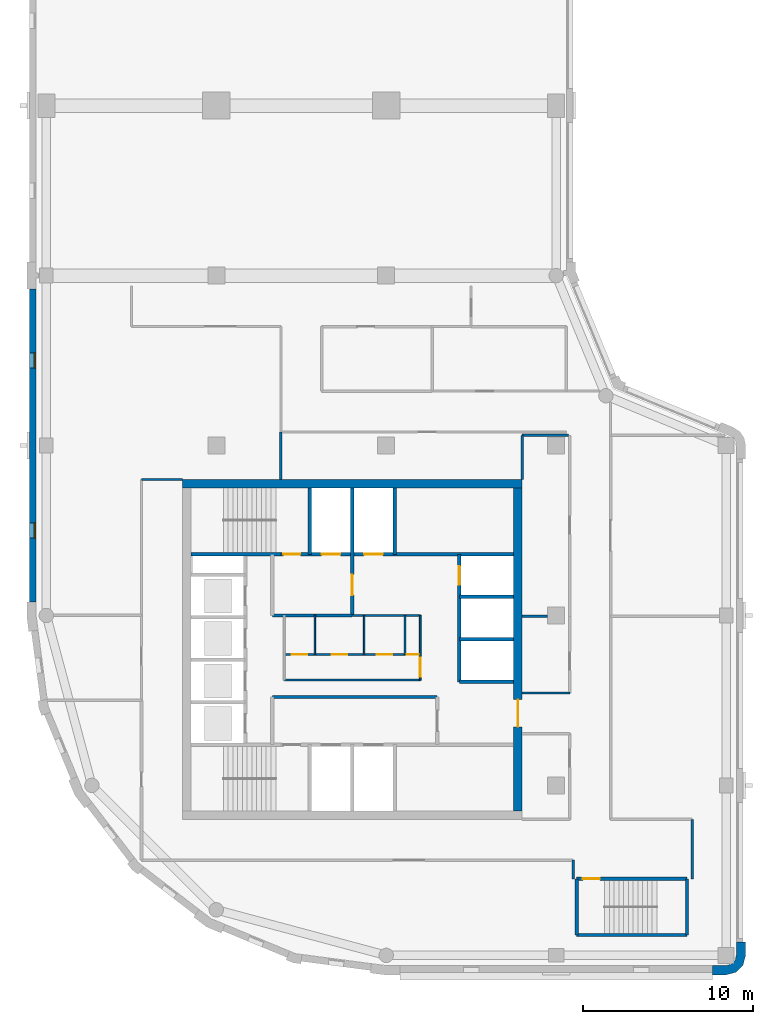
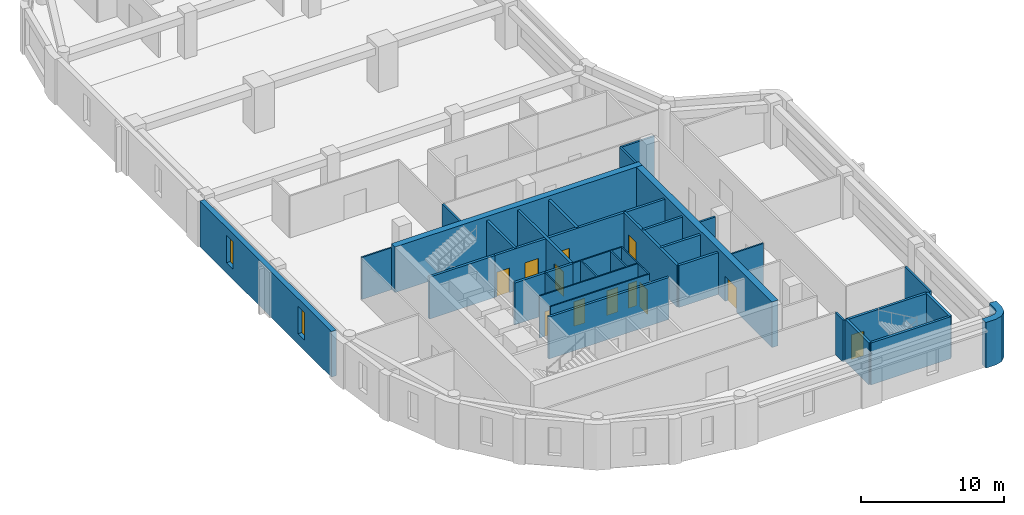
# One storey, part 3 of 8: 34 walls, 12 doors, 2 windows, 14 openings.
"""IFC4 building model written with IfcOpenShell, lengths in metres."""

from ifc_helpers import new_model, si_unit, direction, frame, frame_2d, origin, place, context, subcontext, project, spatial, polyline, rectangle, outline, extrude, material, layer, layer_set, type_object, element, fill, save


model = new_model("IFC4")

# Units and contexts
model_context = context("Model", 3, precision=1e-05, world=origin(), true_north=direction((0.0, 1.0)))
body_context = subcontext(model_context, "Body", "Model", "MODEL_VIEW")
ifc_project = project(units=[si_unit("LENGTHUNIT", "METRE"), si_unit("AREAUNIT", "SQUARE_METRE"), si_unit("VOLUMEUNIT", "CUBIC_METRE"), si_unit("PLANEANGLEUNIT", "RADIAN"), si_unit("MASSUNIT", "GRAM", prefix="KILO")], contexts=[model_context])

# Site, building, storey
site_placement = place(None, origin())
site = spatial("IfcSite", under=ifc_project, at=site_placement, CompositionType="ELEMENT")
building_placement = place(site_placement, origin())
building = spatial("IfcBuilding", under=site, at=building_placement, Name="Qaws Garden Tower", CompositionType="ELEMENT")
storey_placement = place(building_placement, frame((0.0, 0.0, 313.800048828125)))
storey = spatial("IfcBuildingStorey", under=building, at=storey_placement, Name="L76", CompositionType="ELEMENT", Elevation=313.800048828125)

# Wall
ifc_material_1 = material(Name="Clay facing brick masonry", Category="masonry")
ifc_layer_1 = layer(ifc_material_1, 0.550048828125)
ifc_layer_set_1 = layer_set([ifc_layer_1], Name="Clay facing brick masonry")
wall_type_1 = type_object("IfcWallType", Name="Brick corner pier 550 x 2400", PredefinedType="SOLIDWALL", material=ifc_layer_set_1)
wall_1_placement = place(storey_placement, origin())
element("IfcWall", 1, at=wall_1_placement, inside=storey, type_object=wall_type_1, Name="E-L76-pier-02", PredefinedType="SOLIDWALL", context=body_context, shape_type="SweptSolid", body=[
    extrude(outline(polyline([(39.199951171875, -1.0), (39.199951171875, -1.14990234375), (40.0, -1.14990234375), (40.574951171875, -0.995849609375), (40.995849609375, -0.574951171875), (41.14990234375, 0.0), (41.14990234375, 0.800048828125), (41.0, 0.800048828125), (40.60009765625, 0.800048828125), (40.60009765625, 0.0), (40.51953125, -0.300048828125), (40.300048828125, -0.51953125), (40.0, -0.60009765625), (39.199951171875, -0.60009765625), (39.199951171875, -1.0)])), origin(), (0.0, 0.0, 1.0), 3.89990234375),
])

# Wall, openings, windows
ifc_material_2 = material(Name="Clay facing brick masonry", Category="masonry")
ifc_layer_2 = layer(ifc_material_2, 0.39990234375)
ifc_layer_set_2 = layer_set([ifc_layer_2], Name="Clay facing brick masonry")
wall_type_2 = type_object("IfcWallType", Name="Brick infill wall 400", PredefinedType="SOLIDWALL", material=ifc_layer_set_2)
wall_2_placement = place(storey_placement, frame((-0.800048828125, 39.199951171875, 0.0), z_axis=(0.0, 0.0, 1.0), x_axis=(0.0, -1.0, 0.0)))
wall_2 = element("IfcWall", 2, at=wall_2_placement, inside=storey, type_object=wall_type_2, Name="E-L76-infill-19", PredefinedType="SOLIDWALL", context=body_context, shape_type="SweptSolid", body=[
    extrude(rectangle(XDim=18.39990234375, YDim=0.39990234375, at=frame_2d((9.199951171875, 0.0))), origin(), (0.0, 0.0, 1.0), 3.89990234375),
])
opening_1_placement = place(wall_2_placement, frame((3.75, 0.0, 0.89990234375)))
opening_1 = element("IfcOpeningElement", 3, at=opening_1_placement, cuts=wall_2, Name="Opening W09", PredefinedType="OPENING", context=body_context, shape_type="SweptSolid", body=[
    extrude(rectangle(XDim=0.89990234375, YDim=2.35009765625, at=frame_2d((0.449951171875, 1.175048828125))), frame((0.0, 0.2099609375, 0.0), z_axis=(0.0, -1.0, 0.0), x_axis=(1.0, 0.0, 0.0)), (0.0, 0.0, 1.0), 0.419921875),
])
opening_2_placement = place(wall_2_placement, frame((13.75, 0.0, 0.89990234375)))
opening_2 = element("IfcOpeningElement", 4, at=opening_2_placement, cuts=wall_2, Name="Opening W09", PredefinedType="OPENING", context=body_context, shape_type="SweptSolid", body=[
    extrude(rectangle(XDim=0.89990234375, YDim=2.35009765625, at=frame_2d((0.449951171875, 1.175048828125))), frame((0.0, 0.2099609375, 0.0), z_axis=(0.0, -1.0, 0.0), x_axis=(1.0, 0.0, 0.0)), (0.0, 0.0, 1.0), 0.419921875),
])
ifc_material_3 = material(Name="Aluminium framed window, clear glazing", Category="aluminium")
window_type = type_object("IfcWindowType", Name="Slit window 900 x 2350", PartitioningType="SINGLE_PANEL", PredefinedType="WINDOW", material=ifc_material_3)
window_1_placement = place(opening_1_placement, origin())
window_1 = element("IfcWindow", 5, at=window_1_placement, inside=storey, type_object=window_type, Name="E-L76-window-19-0", OverallHeight=2.35009765625, OverallWidth=0.89990234375, PartitioningType="SINGLE_PANEL", PredefinedType="WINDOW", context=body_context, shape_type="SweptSolid", body=[
    extrude(rectangle(XDim=0.89990234375, YDim=2.35009765625, at=frame_2d((0.449951171875, 1.175048828125))), frame((0.0, 0.159912109375, 0.0), z_axis=(0.0, -1.0, 0.0), x_axis=(1.0, 0.0, 0.0)), (0.0, 0.0, 1.0), 0.06005859375),
])
fill(opening_1, window_1)
window_2_placement = place(opening_2_placement, origin())
window_2 = element("IfcWindow", 6, at=window_2_placement, inside=storey, type_object=window_type, Name="E-L76-window-20-0", OverallHeight=2.35009765625, OverallWidth=0.89990234375, PartitioningType="SINGLE_PANEL", PredefinedType="WINDOW", context=body_context, shape_type="SweptSolid", body=[
    extrude(rectangle(XDim=0.89990234375, YDim=2.35009765625, at=frame_2d((0.449951171875, 1.175048828125))), frame((0.0, 0.159912109375, 0.0), z_axis=(0.0, -1.0, 0.0), x_axis=(1.0, 0.0, 0.0)), (0.0, 0.0, 1.0), 0.06005859375),
])
fill(opening_2, window_2)

# Wall
ifc_material_4 = material(Name="Plasterboard")
ifc_layer_3 = layer(ifc_material_4, 0.10009765625)
ifc_layer_set_3 = layer_set([ifc_layer_3], Name="Plasterboard")
wall_type_3 = type_object("IfcWallType", Name="Core partition 100", PredefinedType="PARTITIONING", material=ifc_layer_set_3)
wall_3_placement = place(storey_placement, frame((14.0, 16.199951171875, 0.0), z_axis=(0.0, 0.0, 1.0), x_axis=(1.0, 0.0, 0.0)))
element("IfcWall", 7, at=wall_3_placement, inside=storey, type_object=wall_type_3, Name="Core partition", PredefinedType="PARTITIONING", context=body_context, shape_type="SweptSolid", body=[
    extrude(rectangle(XDim=8.0, YDim=0.10009765625, at=frame_2d((4.0, 0.0))), origin(), (0.0, 0.0, 1.0), 3.579833984375),
])

# Wall, openings, doors
wall_4_placement = place(storey_placement, frame((14.0, 17.699951171875, 0.0), z_axis=(0.0, 0.0, 1.0), x_axis=(1.0, 0.0, 0.0)))
wall_4 = element("IfcWall", 8, at=wall_4_placement, inside=storey, type_object=wall_type_3, Name="Core partition", PredefinedType="PARTITIONING", context=body_context, shape_type="SweptSolid", body=[
    extrude(rectangle(XDim=8.0, YDim=0.10009765625, at=frame_2d((4.0, 0.0))), origin(), (0.0, 0.0, 1.0), 3.579833984375),
])
opening_3_placement = place(wall_4_placement, frame((0.449951171875, 0.0, 0.0)))
opening_3 = element("IfcOpeningElement", 9, at=opening_3_placement, cuts=wall_4, Name="Opening WD18", PredefinedType="OPENING", context=body_context, shape_type="SweptSolid", body=[
    extrude(rectangle(XDim=0.89990234375, YDim=2.10009765625, at=frame_2d((0.449951171875, 1.050048828125))), frame((0.0, 0.06005859375, 0.0), z_axis=(0.0, -1.0, 0.0), x_axis=(1.0, 0.0, 0.0)), (0.0, 0.0, 1.0), 0.1201171875),
])
opening_4_placement = place(wall_4_placement, frame((2.800048828125, 0.0, 0.0)))
opening_4 = element("IfcOpeningElement", 10, at=opening_4_placement, cuts=wall_4, Name="Opening WD19", PredefinedType="OPENING", context=body_context, shape_type="SweptSolid", body=[
    extrude(rectangle(XDim=0.89990234375, YDim=2.10009765625, at=frame_2d((0.449951171875, 1.050048828125))), frame((0.0, 0.06005859375, 0.0), z_axis=(0.0, -1.0, 0.0), x_axis=(1.0, 0.0, 0.0)), (0.0, 0.0, 1.0), 0.1201171875),
])
opening_5_placement = place(wall_4_placement, frame((5.449951171875, 0.0, 0.0)))
opening_5 = element("IfcOpeningElement", 11, at=opening_5_placement, cuts=wall_4, Name="Opening WD20", PredefinedType="OPENING", context=body_context, shape_type="SweptSolid", body=[
    extrude(rectangle(XDim=0.89990234375, YDim=2.10009765625, at=frame_2d((0.449951171875, 1.050048828125))), frame((0.0, 0.06005859375, 0.0), z_axis=(0.0, -1.0, 0.0), x_axis=(1.0, 0.0, 0.0)), (0.0, 0.0, 1.0), 0.1201171875),
])
opening_6_placement = place(wall_4_placement, frame((7.199951171875, 0.0, 0.0)))
opening_6 = element("IfcOpeningElement", 12, at=opening_6_placement, cuts=wall_4, Name="Opening XD21", PredefinedType="OPENING", context=body_context, shape_type="SweptSolid", body=[
    extrude(rectangle(XDim=0.699951171875, YDim=2.10009765625, at=frame_2d((0.35009765625, 1.050048828125))), frame((0.0, 0.06005859375, 0.0), z_axis=(0.0, -1.0, 0.0), x_axis=(1.0, 0.0, 0.0)), (0.0, 0.0, 1.0), 0.1201171875),
])
ifc_material_5 = material(Name="Timber", Category="wood")
door_type_1 = type_object("IfcDoorType", Name="Store door 700x2100", OperationType="SINGLE_SWING_LEFT", PredefinedType="DOOR", material=ifc_material_5)
door_1_placement = place(opening_6_placement, origin())
door_1 = element("IfcDoor", 13, at=door_1_placement, inside=storey, type_object=door_type_1, Name="Cleaner's store door", OperationType="SINGLE_SWING_RIGHT", OverallHeight=2.10009765625, OverallWidth=0.699951171875, PredefinedType="DOOR", context=body_context, shape_type="SweptSolid", body=[
    extrude(rectangle(XDim=0.699951171875, YDim=2.10009765625, at=frame_2d((0.35009765625, 1.050048828125))), frame((0.0, 0.02490234375, 0.0), z_axis=(0.0, -1.0, 0.0), x_axis=(1.0, 0.0, 0.0)), (0.0, 0.0, 1.0), 0.050048828125),
])
fill(opening_6, door_1)
ifc_material_6 = material(Name="Timber", Category="wood")
door_type_2 = type_object("IfcDoorType", Name="WC door 900x2100", OperationType="SINGLE_SWING_LEFT", PredefinedType="DOOR", material=ifc_material_6)
door_2_placement = place(opening_3_placement, origin())
door_2 = element("IfcDoor", 14, at=door_2_placement, inside=storey, type_object=door_type_2, Name="Accessible WC door", OperationType="SINGLE_SWING_RIGHT", OverallHeight=2.10009765625, OverallWidth=0.89990234375, PredefinedType="DOOR", context=body_context, shape_type="SweptSolid", body=[
    extrude(rectangle(XDim=0.89990234375, YDim=2.10009765625, at=frame_2d((0.449951171875, 1.050048828125))), frame((0.0, 0.02490234375, 0.0), z_axis=(0.0, -1.0, 0.0), x_axis=(1.0, 0.0, 0.0)), (0.0, 0.0, 1.0), 0.050048828125),
])
fill(opening_3, door_2)
door_3_placement = place(opening_4_placement, origin())
door_3 = element("IfcDoor", 15, at=door_3_placement, inside=storey, type_object=door_type_2, Name="Women's WC door", OperationType="SINGLE_SWING_RIGHT", OverallHeight=2.10009765625, OverallWidth=0.89990234375, PredefinedType="DOOR", context=body_context, shape_type="SweptSolid", body=[
    extrude(rectangle(XDim=0.89990234375, YDim=2.10009765625, at=frame_2d((0.449951171875, 1.050048828125))), frame((0.0, 0.02490234375, 0.0), z_axis=(0.0, -1.0, 0.0), x_axis=(1.0, 0.0, 0.0)), (0.0, 0.0, 1.0), 0.050048828125),
])
fill(opening_4, door_3)
door_4_placement = place(opening_5_placement, origin())
door_4 = element("IfcDoor", 16, at=door_4_placement, inside=storey, type_object=door_type_2, Name="Men's WC door", OperationType="SINGLE_SWING_RIGHT", OverallHeight=2.10009765625, OverallWidth=0.89990234375, PredefinedType="DOOR", context=body_context, shape_type="SweptSolid", body=[
    extrude(rectangle(XDim=0.89990234375, YDim=2.10009765625, at=frame_2d((0.449951171875, 1.050048828125))), frame((0.0, 0.02490234375, 0.0), z_axis=(0.0, -1.0, 0.0), x_axis=(1.0, 0.0, 0.0)), (0.0, 0.0, 1.0), 0.050048828125),
])
fill(opening_5, door_4)

# Walls
wall_5_placement = place(storey_placement, frame((18.0, 20.0, 0.0), z_axis=(0.0, 0.0, 1.0), x_axis=(1.0, 0.0, 0.0)))
element("IfcWall", 17, at=wall_5_placement, inside=storey, type_object=wall_type_3, Name="Core partition", PredefinedType="PARTITIONING", context=body_context, shape_type="SweptSolid", body=[
    extrude(rectangle(XDim=4.0, YDim=0.10009765625, at=frame_2d((2.0, 0.0))), origin(), (0.0, 0.0, 1.0), 3.579833984375),
])
for number, where, z_axis, x_axis, name in (
    (18, (15.800048828125, 17.699951171875, 0.0), (0.0, 0.0, 1.0), (0.0, 1.0, 0.0), "Core partition"),
    (19, (18.699951171875, 17.699951171875, 0.0), (0.0, 0.0, 1.0), (0.0, 1.0, 0.0), "Core partition"),
    (20, (21.10009765625, 17.699951171875, 0.0), (0.0, 0.0, 1.0), (0.0, 1.0, 0.0), "Core partition"),
):
    element("IfcWall", number, at=place(storey_placement, frame(where, z_axis=z_axis, x_axis=x_axis)), inside=storey, type_object=wall_type_3, Name=name, PredefinedType="PARTITIONING", context=body_context, shape_type="SweptSolid", body=[
        extrude(rectangle(XDim=2.300048828125, YDim=0.10009765625, at=frame_2d((1.14990234375, 0.0))), origin(), (0.0, 0.0, 1.0), 3.579833984375),
    ])

# Wall, opening, door
wall_6_placement = place(storey_placement, frame((22.0, 16.199951171875, 0.0), z_axis=(0.0, 0.0, 1.0), x_axis=(0.0, 1.0, 0.0)))
wall_6 = element("IfcWall", 21, at=wall_6_placement, inside=storey, type_object=wall_type_3, Name="Core partition", PredefinedType="PARTITIONING", context=body_context, shape_type="SweptSolid", body=[
    extrude(rectangle(XDim=3.800048828125, YDim=0.10009765625, at=frame_2d((1.89990234375, 0.0))), origin(), (0.0, 0.0, 1.0), 3.579833984375),
])
opening_7_placement = place(wall_6_placement, frame((0.199951171875, 0.0, 0.0)))
opening_7 = element("IfcOpeningElement", 22, at=opening_7_placement, cuts=wall_6, Name="Opening WL17", PredefinedType="OPENING", context=body_context, shape_type="SweptSolid", body=[
    extrude(rectangle(XDim=1.10009765625, YDim=2.10009765625, at=frame_2d((0.550048828125, 1.050048828125))), frame((0.0, 0.06005859375, 0.0), z_axis=(0.0, -1.0, 0.0), x_axis=(1.0, 0.0, 0.0)), (0.0, 0.0, 1.0), 0.1201171875),
])
ifc_material_7 = material(Name="Timber", Category="wood")
door_type_3 = type_object("IfcDoorType", Name="WC lobby door 1100x2100", OperationType="SINGLE_SWING_LEFT", PredefinedType="DOOR", material=ifc_material_7)
door_5_placement = place(opening_7_placement, origin())
door_5 = element("IfcDoor", 23, at=door_5_placement, inside=storey, type_object=door_type_3, Name="WC lobby door", OperationType="SINGLE_SWING_RIGHT", OverallHeight=2.10009765625, OverallWidth=1.10009765625, PredefinedType="DOOR", context=body_context, shape_type="SweptSolid", body=[
    extrude(rectangle(XDim=1.10009765625, YDim=2.10009765625, at=frame_2d((0.550048828125, 1.050048828125))), frame((0.0, 0.02490234375, 0.0), z_axis=(0.0, -1.0, 0.0), x_axis=(1.0, 0.0, 0.0)), (0.0, 0.0, 1.0), 0.050048828125),
])
fill(opening_7, door_5)

# Wall
ifc_material_8 = material(Name="Concrete C60", Category="concrete")
ifc_layer_4 = layer(ifc_material_8, 0.199951171875)
ifc_layer_set_4 = layer_set([ifc_layer_4], Name="Concrete C60")
wall_type_4 = type_object("IfcWallType", Name="Core shaft wall 200 C60", PredefinedType="SHEAR", material=ifc_layer_set_4)
wall_7_placement = place(storey_placement, frame((31.199951171875, 1.199951171875, 0.0), z_axis=(0.0, 0.0, 1.0), x_axis=(1.0, 0.0, 0.0)))
element("IfcWall", 24, at=wall_7_placement, inside=storey, type_object=wall_type_4, Name="Shaft wall", PredefinedType="SHEAR", context=body_context, shape_type="SweptSolid", body=[
    extrude(rectangle(XDim=6.5, YDim=0.199951171875, at=frame_2d((3.25, 0.0))), origin(), (0.0, 0.0, 1.0), 3.579833984375),
])

# Wall, opening, door
wall_8_placement = place(storey_placement, frame((31.199951171875, 4.5, 0.0), z_axis=(0.0, 0.0, 1.0), x_axis=(1.0, 0.0, 0.0)))
wall_8 = element("IfcWall", 25, at=wall_8_placement, inside=storey, type_object=wall_type_4, Name="Shaft wall", PredefinedType="SHEAR", context=body_context, shape_type="SweptSolid", body=[
    extrude(rectangle(XDim=6.5, YDim=0.199951171875, at=frame_2d((3.25, 0.0))), origin(), (0.0, 0.0, 1.0), 3.579833984375),
])
opening_8_placement = place(wall_8_placement, frame((0.375, 0.0, 0.0)))
opening_8 = element("IfcOpeningElement", 26, at=opening_8_placement, cuts=wall_8, Name="Opening SD12", PredefinedType="OPENING", context=body_context, shape_type="SweptSolid", body=[
    extrude(rectangle(XDim=1.0, YDim=2.10009765625, at=frame_2d((0.5, 1.050048828125))), frame((0.0, 0.10986328125, 0.0), z_axis=(0.0, -1.0, 0.0), x_axis=(1.0, 0.0, 0.0)), (0.0, 0.0, 1.0), 0.219970703125),
])
ifc_material_9 = material(Name="Steel S235", Category="steel")
door_type_4 = type_object("IfcDoorType", Name="Stair door 1000x2100", OperationType="SINGLE_SWING_RIGHT", PredefinedType="DOOR", material=ifc_material_9)
door_6_placement = place(opening_8_placement, frame((1.0, 0.0, 0.0), z_axis=(0.0, 0.0, 1.0), x_axis=(-1.0, 0.0, 0.0)))
door_6 = element("IfcDoor", 27, at=door_6_placement, inside=storey, type_object=door_type_4, Name="Stair 5 door", OperationType="SINGLE_SWING_RIGHT", OverallHeight=2.10009765625, OverallWidth=1.0, PredefinedType="DOOR", context=body_context, shape_type="SweptSolid", body=[
    extrude(rectangle(XDim=1.0, YDim=2.10009765625, at=frame_2d((0.5, 1.050048828125))), frame((0.0, 0.02490234375, 0.0), z_axis=(0.0, -1.0, 0.0), x_axis=(1.0, 0.0, 0.0)), (0.0, 0.0, 1.0), 0.050048828125),
])
fill(opening_8, door_6)

# Walls
wall_9_placement = place(storey_placement, frame((13.300048828125, 15.199951171875, 0.0), z_axis=(0.0, 0.0, 1.0), x_axis=(1.0, 0.0, 0.0)))
element("IfcWall", 28, at=wall_9_placement, inside=storey, type_object=wall_type_4, Name="Shaft wall", PredefinedType="SHEAR", context=body_context, shape_type="SweptSolid", body=[
    extrude(rectangle(XDim=9.699951171875, YDim=0.199951171875, at=frame_2d((4.85009765625, 0.0))), origin(), (0.0, 0.0, 1.0), 3.579833984375),
])
for number, where, z_axis, x_axis, name in (
    (29, (24.300048828125, 16.10009765625, 0.0), (0.0, 0.0, 1.0), (1.0, 0.0, 0.0), "Shaft wall"),
    (30, (24.300048828125, 18.60009765625, 0.0), (0.0, 0.0, 1.0), (1.0, 0.0, 0.0), "Shaft wall"),
):
    element("IfcWall", number, at=place(storey_placement, frame(where, z_axis=z_axis, x_axis=x_axis)), inside=storey, type_object=wall_type_4, Name=name, PredefinedType="SHEAR", context=body_context, shape_type="SweptSolid", body=[
        extrude(rectangle(XDim=3.199951171875, YDim=0.199951171875, at=frame_2d((1.60009765625, 0.0))), origin(), (0.0, 0.0, 1.0), 3.579833984375),
    ])
wall_10_placement = place(storey_placement, frame((13.300048828125, 20.0, 0.0), z_axis=(0.0, 0.0, 1.0), x_axis=(1.0, 0.0, 0.0)))
element("IfcWall", 31, at=wall_10_placement, inside=storey, type_object=wall_type_4, Name="Shaft wall", PredefinedType="SHEAR", context=body_context, shape_type="SweptSolid", body=[
    extrude(rectangle(XDim=4.699951171875, YDim=0.199951171875, at=frame_2d((2.35009765625, 0.0))), origin(), (0.0, 0.0, 1.0), 3.579833984375),
])
wall_11_placement = place(storey_placement, frame((24.300048828125, 21.10009765625, 0.0), z_axis=(0.0, 0.0, 1.0), x_axis=(1.0, 0.0, 0.0)))
element("IfcWall", 32, at=wall_11_placement, inside=storey, type_object=wall_type_4, Name="Shaft wall", PredefinedType="SHEAR", context=body_context, shape_type="SweptSolid", body=[
    extrude(rectangle(XDim=3.199951171875, YDim=0.199951171875, at=frame_2d((1.60009765625, 0.0))), origin(), (0.0, 0.0, 1.0), 3.579833984375),
])
wall_12_placement = place(storey_placement, frame((8.5, 23.60009765625, 0.0), z_axis=(0.0, 0.0, 1.0), x_axis=(1.0, 0.0, 0.0)))
element("IfcWall", 33, at=wall_12_placement, inside=storey, type_object=wall_type_4, Name="Shaft wall", PredefinedType="SHEAR", context=body_context, shape_type="SweptSolid", body=[
    extrude(rectangle(XDim=5.300048828125, YDim=0.199951171875, at=frame_2d((2.64990234375, 0.0))), origin(), (0.0, 0.0, 1.0), 3.579833984375),
])

# Wall, openings, doors
wall_13_placement = place(storey_placement, frame((13.800048828125, 23.60009765625, 0.0), z_axis=(0.0, 0.0, 1.0), x_axis=(1.0, 0.0, 0.0)))
wall_13 = element("IfcWall", 34, at=wall_13_placement, inside=storey, type_object=wall_type_4, Name="Shaft wall", PredefinedType="SHEAR", context=body_context, shape_type="SweptSolid", body=[
    extrude(rectangle(XDim=13.699951171875, YDim=0.199951171875, at=frame_2d((6.85009765625, 0.0))), origin(), (0.0, 0.0, 1.0), 3.579833984375),
])
opening_9_placement = place(wall_13_placement, frame((2.39990234375, 0.0, 0.0)))
opening_9 = element("IfcOpeningElement", 35, at=opening_9_placement, cuts=wall_13, Name="Opening LD08", PredefinedType="OPENING", context=body_context, shape_type="SweptSolid", body=[
    extrude(rectangle(XDim=1.10009765625, YDim=2.10009765625, at=frame_2d((0.550048828125, 1.050048828125))), frame((0.0, 0.10986328125, 0.0), z_axis=(0.0, -1.0, 0.0), x_axis=(1.0, 0.0, 0.0)), (0.0, 0.0, 1.0), 0.219970703125),
])
opening_10_placement = place(wall_13_placement, frame((4.89990234375, 0.0, 0.0)))
opening_10 = element("IfcOpeningElement", 36, at=opening_10_placement, cuts=wall_13, Name="Opening LD09", PredefinedType="OPENING", context=body_context, shape_type="SweptSolid", body=[
    extrude(rectangle(XDim=1.10009765625, YDim=2.10009765625, at=frame_2d((0.550048828125, 1.050048828125))), frame((0.0, 0.10986328125, 0.0), z_axis=(0.0, -1.0, 0.0), x_axis=(1.0, 0.0, 0.0)), (0.0, 0.0, 1.0), 0.219970703125),
])
opening_11_placement = place(wall_13_placement, frame((0.14990234375, 0.0, 0.0)))
opening_11 = element("IfcOpeningElement", 37, at=opening_11_placement, cuts=wall_13, Name="Opening SD11", PredefinedType="OPENING", context=body_context, shape_type="SweptSolid", body=[
    extrude(rectangle(XDim=1.0, YDim=2.10009765625, at=frame_2d((0.5, 1.050048828125))), frame((0.0, 0.10986328125, 0.0), z_axis=(0.0, -1.0, 0.0), x_axis=(1.0, 0.0, 0.0)), (0.0, 0.0, 1.0), 0.219970703125),
])
ifc_material_10 = material(Name="Steel S235", Category="steel")
door_type_5 = type_object("IfcDoorType", Name="Landing door 1100x2100", OperationType="DOUBLE_DOOR_SLIDING", PredefinedType="DOOR", material=ifc_material_10)
door_7_placement = place(opening_9_placement, origin())
door_7 = element("IfcDoor", 38, at=door_7_placement, inside=storey, type_object=door_type_5, Name="Lift FF3 landing door", OperationType="DOUBLE_DOOR_SLIDING", OverallHeight=2.10009765625, OverallWidth=1.10009765625, PredefinedType="DOOR", context=body_context, shape_type="SweptSolid", body=[
    extrude(rectangle(XDim=1.10009765625, YDim=2.10009765625, at=frame_2d((0.550048828125, 1.050048828125))), frame((0.0, 0.02490234375, 0.0), z_axis=(0.0, -1.0, 0.0), x_axis=(1.0, 0.0, 0.0)), (0.0, 0.0, 1.0), 0.050048828125),
])
fill(opening_9, door_7)
door_8_placement = place(opening_10_placement, origin())
door_8 = element("IfcDoor", 39, at=door_8_placement, inside=storey, type_object=door_type_5, Name="Lift SV2 landing door", OperationType="DOUBLE_DOOR_SLIDING", OverallHeight=2.10009765625, OverallWidth=1.10009765625, PredefinedType="DOOR", context=body_context, shape_type="SweptSolid", body=[
    extrude(rectangle(XDim=1.10009765625, YDim=2.10009765625, at=frame_2d((0.550048828125, 1.050048828125))), frame((0.0, 0.02490234375, 0.0), z_axis=(0.0, -1.0, 0.0), x_axis=(1.0, 0.0, 0.0)), (0.0, 0.0, 1.0), 0.050048828125),
])
fill(opening_10, door_8)
door_9_placement = place(opening_11_placement, origin())
door_9 = element("IfcDoor", 40, at=door_9_placement, inside=storey, type_object=door_type_4, Name="Stair 4 door", OperationType="SINGLE_SWING_RIGHT", OverallHeight=2.10009765625, OverallWidth=1.0, PredefinedType="DOOR", context=body_context, shape_type="SweptSolid", body=[
    extrude(rectangle(XDim=1.0, YDim=2.10009765625, at=frame_2d((0.5, 1.050048828125))), frame((0.0, 0.02490234375, 0.0), z_axis=(0.0, -1.0, 0.0), x_axis=(1.0, 0.0, 0.0)), (0.0, 0.0, 1.0), 0.050048828125),
])
fill(opening_11, door_9)

# Wall
wall_14_placement = place(storey_placement, frame((15.5, 23.60009765625, 0.0), z_axis=(0.0, 0.0, 1.0), x_axis=(0.0, 1.0, 0.0)))
element("IfcWall", 41, at=wall_14_placement, inside=storey, type_object=wall_type_4, Name="Shaft wall", PredefinedType="SHEAR", context=body_context, shape_type="SweptSolid", body=[
    extrude(rectangle(XDim=3.89990234375, YDim=0.199951171875, at=frame_2d((1.949951171875, 0.0))), origin(), (0.0, 0.0, 1.0), 3.579833984375),
])

# Wall, opening, door
wall_15_placement = place(storey_placement, frame((18.0, 20.0, 0.0), z_axis=(0.0, 0.0, 1.0), x_axis=(0.0, 1.0, 0.0)))
wall_15 = element("IfcWall", 42, at=wall_15_placement, inside=storey, type_object=wall_type_4, Name="Shaft wall", PredefinedType="SHEAR", context=body_context, shape_type="SweptSolid", body=[
    extrude(rectangle(XDim=7.5, YDim=0.199951171875, at=frame_2d((3.75, 0.0))), origin(), (0.0, 0.0, 1.0), 3.579833984375),
])
opening_12_placement = place(wall_15_placement, frame((1.199951171875, 0.0, 0.0)))
opening_12 = element("IfcOpeningElement", 43, at=opening_12_placement, cuts=wall_15, Name="Opening FD16", PredefinedType="OPENING", context=body_context, shape_type="SweptSolid", body=[
    extrude(rectangle(XDim=1.199951171875, YDim=2.10009765625, at=frame_2d((0.60009765625, 1.050048828125))), frame((0.0, 0.10986328125, 0.0), z_axis=(0.0, -1.0, 0.0), x_axis=(1.0, 0.0, 0.0)), (0.0, 0.0, 1.0), 0.219970703125),
])
ifc_material_11 = material(Name="Steel S235", Category="steel")
door_type_6 = type_object("IfcDoorType", Name="Lobby door 1200x2100", OperationType="DOUBLE_DOOR_SINGLE_SWING", PredefinedType="DOOR", material=ifc_material_11)
door_10_placement = place(opening_12_placement, origin())
door_10 = element("IfcDoor", 44, at=door_10_placement, inside=storey, type_object=door_type_6, Name="Fire-fighting lobby door", OperationType="DOUBLE_DOOR_SINGLE_SWING", OverallHeight=2.10009765625, OverallWidth=1.199951171875, PredefinedType="DOOR", context=body_context, shape_type="SweptSolid", body=[
    extrude(rectangle(XDim=1.199951171875, YDim=2.10009765625, at=frame_2d((0.60009765625, 1.050048828125))), frame((0.0, 0.02490234375, 0.0), z_axis=(0.0, -1.0, 0.0), x_axis=(1.0, 0.0, 0.0)), (0.0, 0.0, 1.0), 0.050048828125),
])
fill(opening_12, door_10)

# Wall
wall_16_placement = place(storey_placement, frame((20.5, 23.60009765625, 0.0), z_axis=(0.0, 0.0, 1.0), x_axis=(0.0, 1.0, 0.0)))
element("IfcWall", 45, at=wall_16_placement, inside=storey, type_object=wall_type_4, Name="Shaft wall", PredefinedType="SHEAR", context=body_context, shape_type="SweptSolid", body=[
    extrude(rectangle(XDim=3.89990234375, YDim=0.199951171875, at=frame_2d((1.949951171875, 0.0))), origin(), (0.0, 0.0, 1.0), 3.579833984375),
])

# Wall, opening, door
wall_17_placement = place(storey_placement, frame((24.300048828125, 16.10009765625, 0.0), z_axis=(0.0, 0.0, 1.0), x_axis=(0.0, 1.0, 0.0)))
wall_17 = element("IfcWall", 46, at=wall_17_placement, inside=storey, type_object=wall_type_4, Name="Shaft wall", PredefinedType="SHEAR", context=body_context, shape_type="SweptSolid", body=[
    extrude(rectangle(XDim=7.5, YDim=0.199951171875, at=frame_2d((3.75, 0.0))), origin(), (0.0, 0.0, 1.0), 3.579833984375),
])
opening_13_placement = place(wall_17_placement, frame((5.699951171875, 0.0, 0.0)))
opening_13 = element("IfcOpeningElement", 47, at=opening_13_placement, cuts=wall_17, Name="Opening LD05", PredefinedType="OPENING", context=body_context, shape_type="SweptSolid", body=[
    extrude(rectangle(XDim=1.10009765625, YDim=2.10009765625, at=frame_2d((0.550048828125, 1.050048828125))), frame((0.0, 0.10986328125, 0.0), z_axis=(0.0, -1.0, 0.0), x_axis=(1.0, 0.0, 0.0)), (0.0, 0.0, 1.0), 0.219970703125),
])
door_11_placement = place(opening_13_placement, origin())
door_11 = element("IfcDoor", 48, at=door_11_placement, inside=storey, type_object=door_type_5, Name="Lift E3 landing door", OperationType="DOUBLE_DOOR_SLIDING", OverallHeight=2.10009765625, OverallWidth=1.10009765625, PredefinedType="DOOR", context=body_context, shape_type="SweptSolid", body=[
    extrude(rectangle(XDim=1.10009765625, YDim=2.10009765625, at=frame_2d((0.550048828125, 1.050048828125))), frame((0.0, 0.02490234375, 0.0), z_axis=(0.0, -1.0, 0.0), x_axis=(1.0, 0.0, 0.0)), (0.0, 0.0, 1.0), 0.050048828125),
])
fill(opening_13, door_11)

# Walls
for number, where, z_axis, x_axis, name in (
    (49, (31.199951171875, 1.199951171875, 0.0), (0.0, 0.0, 1.0), (0.0, 1.0, 0.0), "Shaft wall"),
    (50, (37.699951171875, 1.199951171875, 0.0), (0.0, 0.0, 1.0), (0.0, 1.0, 0.0), "Shaft wall"),
):
    element("IfcWall", number, at=place(storey_placement, frame(where, z_axis=z_axis, x_axis=x_axis)), inside=storey, type_object=wall_type_4, Name=name, PredefinedType="SHEAR", context=body_context, shape_type="SweptSolid", body=[
        extrude(rectangle(XDim=3.300048828125, YDim=0.199951171875, at=frame_2d((1.64990234375, 0.0))), origin(), (0.0, 0.0, 1.0), 3.579833984375),
    ])

# Wall, opening, door
ifc_material_12 = material(Name="Concrete C60", Category="concrete")
ifc_layer_5 = layer(ifc_material_12, 0.5)
ifc_layer_set_5 = layer_set([ifc_layer_5], Name="Concrete C60")
wall_type_5 = type_object("IfcWallType", Name="Core wall 500 C60", PredefinedType="SHEAR", material=ifc_layer_set_5)
wall_18_placement = place(storey_placement, frame((27.75, 8.5, 0.0), z_axis=(0.0, 0.0, 1.0), x_axis=(0.0, 1.0, 0.0)))
wall_18 = element("IfcWall", 51, at=wall_18_placement, inside=storey, type_object=wall_type_5, Name="Core wall L76 east", PredefinedType="SHEAR", context=body_context, shape_type="SweptSolid", body=[
    extrude(rectangle(XDim=19.0, YDim=0.5, at=frame_2d((9.5, 0.0))), origin(), (0.0, 0.0, 1.0), 3.89990234375),
])
opening_14_placement = place(wall_18_placement, frame((4.949951171875, 0.0, 0.0)))
opening_14 = element("IfcOpeningElement", 52, at=opening_14_placement, cuts=wall_18, Name="Opening ED22", PredefinedType="OPENING", context=body_context, shape_type="SweptSolid", body=[
    extrude(rectangle(XDim=1.60009765625, YDim=2.10009765625, at=frame_2d((0.800048828125, 1.050048828125))), frame((0.0, 0.260009765625, 0.0), z_axis=(0.0, -1.0, 0.0), x_axis=(1.0, 0.0, 0.0)), (0.0, 0.0, 1.0), 0.52001953125),
])
ifc_material_13 = material(Name="Steel S235", Category="steel")
door_type_7 = type_object("IfcDoorType", Name="Core entrance door 1600x2100", OperationType="DOUBLE_DOOR_SINGLE_SWING", PredefinedType="DOOR", material=ifc_material_13)
door_12_placement = place(opening_14_placement, origin())
door_12 = element("IfcDoor", 53, at=door_12_placement, inside=storey, type_object=door_type_7, Name="Core entrance door", OperationType="DOUBLE_DOOR_SINGLE_SWING", OverallHeight=2.10009765625, OverallWidth=1.60009765625, PredefinedType="DOOR", context=body_context, shape_type="SweptSolid", body=[
    extrude(rectangle(XDim=1.60009765625, YDim=2.10009765625, at=frame_2d((0.800048828125, 1.050048828125))), frame((0.0, 0.02490234375, 0.0), z_axis=(0.0, -1.0, 0.0), x_axis=(1.0, 0.0, 0.0)), (0.0, 0.0, 1.0), 0.050048828125),
])
fill(opening_14, door_12)

# Walls
wall_19_placement = place(storey_placement, frame((28.0, 27.75, 0.0), z_axis=(0.0, 0.0, 1.0), x_axis=(-1.0, 0.0, 0.0)))
element("IfcWall", 54, at=wall_19_placement, inside=storey, type_object=wall_type_5, Name="Core wall L76 north", PredefinedType="SHEAR", context=body_context, shape_type="SweptSolid", body=[
    extrude(rectangle(XDim=20.0, YDim=0.5, at=frame_2d((10.0, 0.0))), origin(), (0.0, 0.0, 1.0), 3.89990234375),
])
ifc_material_14 = material(Name="Glass and aluminium framing", Category="aluminium")
ifc_layer_6 = layer(ifc_material_14, 0.1201171875)
ifc_layer_set_6 = layer_set([ifc_layer_6], Name="Glass and aluminium framing")
wall_type_6 = type_object("IfcWallType", Name="GLAZED PARTITION 120 EI 30", PredefinedType="PARTITIONING", material=ifc_layer_set_6)
wall_20_placement = place(storey_placement, frame((28.0, 15.449951171875, 0.0), z_axis=(0.0, 0.0, 1.0), x_axis=(1.0, 0.0, 0.0)))
element("IfcWall", 55, at=wall_20_placement, inside=storey, type_object=wall_type_6, Name="O-L76-wall-033", PredefinedType="PARTITIONING", context=body_context, shape_type="SweptSolid", body=[
    extrude(rectangle(XDim=2.800048828125, YDim=0.1201171875, at=frame_2d((1.39990234375, 0.0))), origin(), (0.0, 0.0, 1.0), 3.579833984375),
])
wall_21_placement = place(storey_placement, frame((5.60009765625, 28.0, 0.0), z_axis=(0.0, 0.0, 1.0), x_axis=(1.0, 0.0, 0.0)))
element("IfcWall", 56, at=wall_21_placement, inside=storey, type_object=wall_type_6, Name="O-L76-wall-034", PredefinedType="PARTITIONING", context=body_context, shape_type="SweptSolid", body=[
    extrude(rectangle(XDim=2.39990234375, YDim=0.1201171875, at=frame_2d((1.199951171875, 0.0))), origin(), (0.0, 0.0, 1.0), 3.579833984375),
])
ifc_material_15 = material(Name="Gypsum board partition")
ifc_layer_7 = layer(ifc_material_15, 0.14990234375)
ifc_layer_set_7 = layer_set([ifc_layer_7], Name="Gypsum board partition")
wall_type_7 = type_object("IfcWallType", Name="PARTITION 150 EI 60", PredefinedType="PARTITIONING", material=ifc_layer_set_7)
wall_22_placement = place(storey_placement, frame((13.800048828125, 28.0, 0.0), z_axis=(0.0, 0.0, 1.0), x_axis=(0.0, 1.0, 0.0)))
element("IfcWall", 57, at=wall_22_placement, inside=storey, type_object=wall_type_7, Name="O-L76-wall-003", PredefinedType="PARTITIONING", context=body_context, shape_type="SweptSolid", body=[
    extrude(rectangle(XDim=2.800048828125, YDim=0.14990234375, at=frame_2d((1.39990234375, 0.0))), origin(), (0.0, 0.0, 1.0), 3.579833984375),
])
wall_23_placement = place(storey_placement, frame((28.0, 28.0, 0.0), z_axis=(0.0, 0.0, 1.0), x_axis=(0.0, 1.0, 0.0)))
element("IfcWall", 58, at=wall_23_placement, inside=storey, type_object=wall_type_7, Name="O-L76-wall-007", PredefinedType="PARTITIONING", context=body_context, shape_type="SweptSolid", body=[
    extrude(rectangle(XDim=2.597900390625, YDim=0.14990234375, at=frame_2d((1.298828125, 0.0))), origin(), (0.0, 0.0, 1.0), 3.579833984375),
])
wall_24_placement = place(storey_placement, frame((31.0, 4.5, 0.0), z_axis=(0.0, 0.0, 1.0), x_axis=(0.0, 1.0, 0.0)))
element("IfcWall", 59, at=wall_24_placement, inside=storey, type_object=wall_type_7, Name="O-L76-wall-011", PredefinedType="PARTITIONING", context=body_context, shape_type="SweptSolid", body=[
    extrude(rectangle(XDim=1.10009765625, YDim=0.14990234375, at=frame_2d((0.550048828125, 0.0))), origin(), (0.0, 0.0, 1.0), 3.579833984375),
])
wall_25_placement = place(storey_placement, frame((38.0, 4.5, 0.0), z_axis=(0.0, 0.0, 1.0), x_axis=(0.0, 1.0, 0.0)))
element("IfcWall", 60, at=wall_25_placement, inside=storey, type_object=wall_type_7, Name="O-L76-wall-013", PredefinedType="PARTITIONING", context=body_context, shape_type="SweptSolid", body=[
    extrude(rectangle(XDim=3.5, YDim=0.14990234375, at=frame_2d((1.75, 0.0))), origin(), (0.0, 0.0, 1.0), 3.579833984375),
])
wall_26_placement = place(storey_placement, frame((28.0, 19.949951171875, 0.0), z_axis=(0.0, 0.0, 1.0), x_axis=(1.0, 0.0, 0.0)))
element("IfcWall", 61, at=wall_26_placement, inside=storey, type_object=wall_type_7, Name="O-L76-wall-019", PredefinedType="PARTITIONING", context=body_context, shape_type="SweptSolid", body=[
    extrude(rectangle(XDim=1.5, YDim=0.14990234375, at=frame_2d((0.75, 0.0))), origin(), (0.0, 0.0, 1.0), 3.579833984375),
])
wall_27_placement = place(storey_placement, frame((28.001953125, 30.60009765625, 0.0), z_axis=(0.0, 0.0, 1.0), x_axis=(1.0, 0.0, 0.0)))
element("IfcWall", 62, at=wall_27_placement, inside=storey, type_object=wall_type_7, Name="O-L76-wall-022", PredefinedType="PARTITIONING", context=body_context, shape_type="SweptSolid", body=[
    extrude(rectangle(XDim=2.72314453125, YDim=0.14990234375, at=frame_2d((1.361572265625, 0.0))), origin(), (0.0, 0.0, 1.0), 3.579833984375),
])

save(model, "model.ifc")
